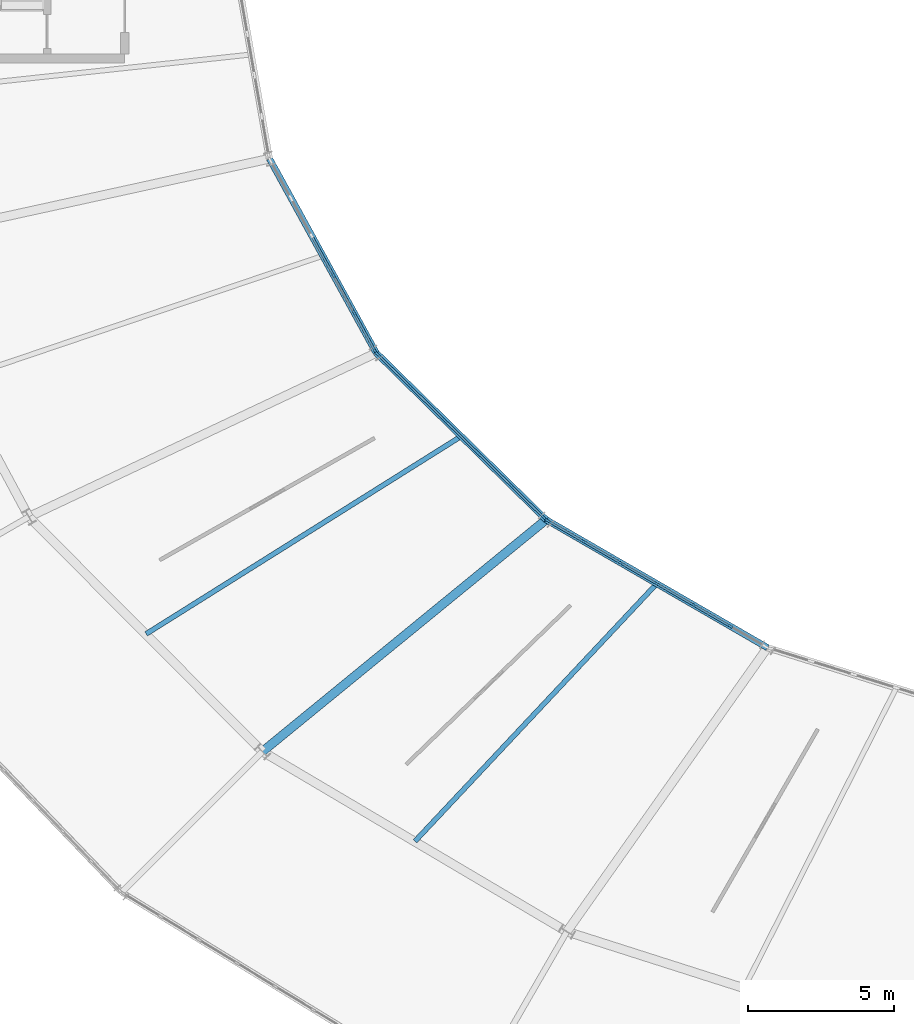
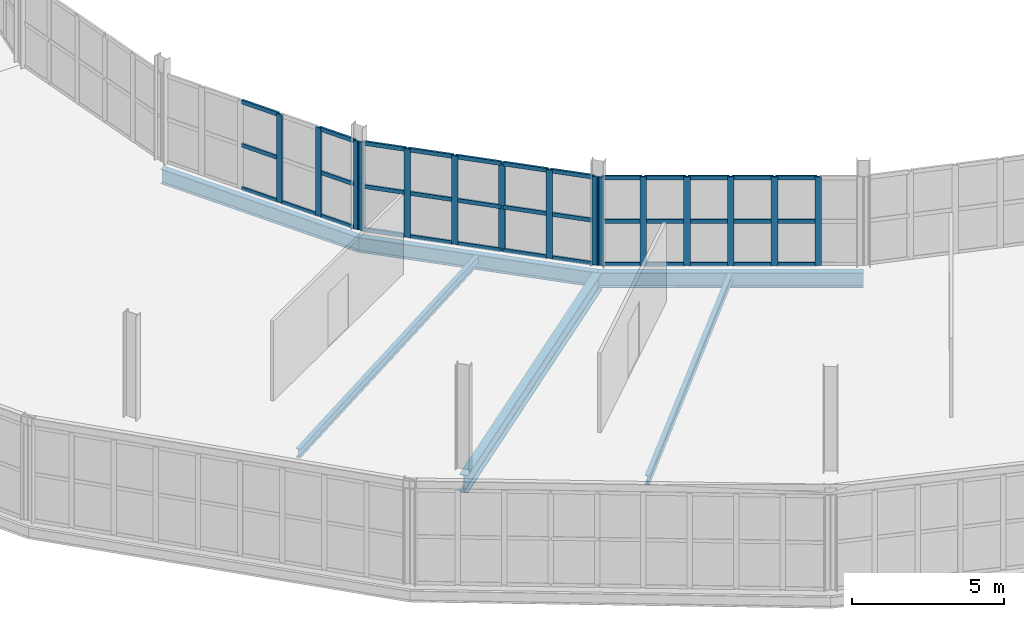
# One storey, part 61 of 161: 52 members, 6 beams, 3 elements without a shape of their own.
"""IFC4 building model written with IfcOpenShell, lengths in metres."""

from ifc_helpers import new_model, si_unit, direction, frame, origin, origin_2d, place, context, subcontext, project, spatial, rectangle, i_section, extrude, material, material_profile, profile_set, type_object, element, aggregate, save


model = new_model("IFC4")

# Units and contexts
model_context = context("Model", 3, precision=1e-05, world=origin(), true_north=direction((0.0, 1.0)))
body_context = subcontext(model_context, "Body", "Model", "MODEL_VIEW")
ifc_project = project(units=[si_unit("LENGTHUNIT", "METRE"), si_unit("AREAUNIT", "SQUARE_METRE"), si_unit("VOLUMEUNIT", "CUBIC_METRE"), si_unit("PLANEANGLEUNIT", "RADIAN"), si_unit("MASSUNIT", "GRAM", prefix="KILO")], contexts=[model_context])

# Site, building, storey
site_placement = place(None, origin())
site = spatial("IfcSite", under=ifc_project, at=site_placement, CompositionType="ELEMENT")
building_placement = place(site_placement, origin())
building = spatial("IfcBuilding", under=site, at=building_placement, Name="Kildeholm Park Wholesale Market", CompositionType="ELEMENT")
storey_placement = place(building_placement, frame((0.0, 0.0, 5.39990234375)))
storey = spatial("IfcBuildingStorey", under=building, at=storey_placement, Name="L01", CompositionType="ELEMENT", Elevation=5.39990234375)

# Beams
ifc_material_1 = material(Name="Steel S355", Category="steel")
ifc_material_profile_1 = material_profile(ifc_material_1, i_section(OverallWidth=0.300048828125, OverallDepth=0.699951171875, WebThickness=0.01708984375, FlangeThickness=0.031982421875, FilletRadius=0.027099609375, at=origin_2d()), Name="HEB 700")
ifc_profile_set_1 = profile_set([ifc_material_profile_1], Name="Steel S355")
beam_type_1 = type_object("IfcBeamType", Name="Beam B-G01 HEB 700", PredefinedType="BEAM", material=ifc_profile_set_1)
beam_1_placement = place(storey_placement, frame((73.19091796875, 70.054931640625, -0.599853515625), z_axis=(-0.774216280002, -0.632921126034, 0.0), x_axis=(0.632921126034, -0.774216280002, 0.0)))
element("IfcBeam", 1, at=beam_1_placement, inside=storey, type_object=beam_type_1, Name="Beam BM-V1-L01-R1-15 BM-0136", PredefinedType="BEAM", context=body_context, shape_type="SweptSolid", body=[
    extrude(i_section(OverallWidth=0.300048828125, OverallDepth=0.699951171875, WebThickness=0.01708984375, FlangeThickness=0.031982421875, FilletRadius=0.027099609375, at=origin_2d()), origin(), (0.0, 0.0, 1.0), 12.51318359375),
])
ifc_material_profile_2 = material_profile(ifc_material_1, i_section(OverallWidth=0.219970703125, OverallDepth=0.60009765625, WebThickness=0.011962890625, FlangeThickness=0.01904296875, FilletRadius=0.02392578125, at=origin_2d()), Name="IPE 600")
ifc_profile_set_2 = profile_set([ifc_material_profile_2], Name="Steel S355")
beam_type_2 = type_object("IfcBeamType", Name="Beam B-P04 IPE 600", PredefinedType="BEAM", material=ifc_profile_set_2)
beam_2_placement = place(storey_placement, frame((63.743896484375, 82.382080078125, -0.5498046875), z_axis=(0.481751565348, -0.876307839338, 0.0), x_axis=(0.876307839338, 0.481751565348, 0.0)))
element("IfcBeam", 2, at=beam_2_placement, inside=storey, type_object=beam_type_2, Name="Beam BM-V1-L01-CI-13 BM-0120", PredefinedType="BEAM", context=body_context, shape_type="SweptSolid", body=[
    extrude(i_section(OverallWidth=0.219970703125, OverallDepth=0.60009765625, WebThickness=0.011962890625, FlangeThickness=0.01904296875, FilletRadius=0.02392578125, at=origin_2d()), origin(), (0.0, 0.0, 1.0), 7.568115234375),
])
beam_3_placement = place(storey_placement, frame((67.389892578125, 75.75, -0.5498046875), z_axis=(0.713593723838, -0.700559774251, 0.0), x_axis=(0.700559774251, 0.713593723838, 0.0)))
element("IfcBeam", 3, at=beam_3_placement, inside=storey, type_object=beam_type_2, Name="Beam BM-V1-L01-CI-14 BM-0129", PredefinedType="BEAM", context=body_context, shape_type="SweptSolid", body=[
    extrude(i_section(OverallWidth=0.219970703125, OverallDepth=0.60009765625, WebThickness=0.011962890625, FlangeThickness=0.01904296875, FilletRadius=0.02392578125, at=origin_2d()), origin(), (0.0, 0.0, 1.0), 8.12939453125),
])
beam_4_placement = place(storey_placement, frame((73.19091796875, 70.054931640625, -0.5498046875), z_axis=(0.865697347457, -0.500567780231, 0.0), x_axis=(0.500567780231, 0.865697347457, 0.0)))
element("IfcBeam", 4, at=beam_4_placement, inside=storey, type_object=beam_type_2, Name="Beam BM-V1-L01-CI-15 BM-0139", PredefinedType="BEAM", context=body_context, shape_type="SweptSolid", body=[
    extrude(i_section(OverallWidth=0.219970703125, OverallDepth=0.60009765625, WebThickness=0.011962890625, FlangeThickness=0.01904296875, FilletRadius=0.02392578125, at=origin_2d()), origin(), (0.0, 0.0, 1.0), 8.731689453125),
])
ifc_material_profile_3 = material_profile(ifc_material_1, i_section(OverallWidth=0.169921875, OverallDepth=0.360107421875, WebThickness=0.008056640625, FlangeThickness=0.0126953125, FilletRadius=0.01806640625, at=origin_2d()), Name="IPE 360")
ifc_profile_set_3 = profile_set([ifc_material_profile_3], Name="Steel S355")
beam_type_3 = type_object("IfcBeamType", Name="Beam J-04 IPE 360", PredefinedType="JOIST", material=ifc_profile_set_3)
beam_5_placement = place(storey_placement, frame((70.273681640625, 72.891845703125, -0.429931640625), z_axis=(-0.847114536958, -0.531410351116, 0.0), x_axis=(0.531410351116, -0.847114536958, 0.0)))
element("IfcBeam", 5, at=beam_5_placement, inside=storey, type_object=beam_type_3, Name="Beam JT-V1-L01-14 BM-0134", PredefinedType="JOIST", context=body_context, shape_type="SweptSolid", body=[
    extrude(i_section(OverallWidth=0.169921875, OverallDepth=0.360107421875, WebThickness=0.008056640625, FlangeThickness=0.0126953125, FilletRadius=0.01806640625, at=origin_2d()), origin(), (0.0, 0.0, 1.0), 12.680908203125),
])
beam_6_placement = place(storey_placement, frame((76.956787109375, 67.85498046875, -0.429931640625), z_axis=(-0.68439148237, -0.729114736416, 0.0), x_axis=(0.729114736416, -0.68439148237, 0.0)))
element("IfcBeam", 6, at=beam_6_placement, inside=storey, type_object=beam_type_3, Name="Beam JT-V1-L01-15 BM-0144", PredefinedType="JOIST", context=body_context, shape_type="SweptSolid", body=[
    extrude(i_section(OverallWidth=0.169921875, OverallDepth=0.360107421875, WebThickness=0.008056640625, FlangeThickness=0.0126953125, FilletRadius=0.01806640625, at=origin_2d()), origin(), (0.0, 0.0, 1.0), 12.04248046875),
])

# Curtain wall, members
ifc_material_2 = material(Name="Anodised aluminium and low-E double-glazed glass", Category="aluminium")
curtain_wall_type = type_object("IfcCurtainWallType", Name="Market hall glazed arcade stick curtain wall CW-01", PredefinedType="NOTDEFINED", material=ifc_material_2)
curtain_wall_1_placement = place(storey_placement, origin())
curtain_wall_1 = element("IfcCurtainWall", 7, at=curtain_wall_1_placement, inside=storey, type_object=curtain_wall_type, Name="Curtain wall CW-V1-IN1-13 CW-0067", PredefinedType="NOTDEFINED")
ifc_material_3 = material(Name="Anodised aluminium", Category="aluminium")
ifc_material_profile_4 = material_profile(ifc_material_3, rectangle(XDim=0.074951171875, YDim=0.219970703125, at=origin_2d()), Name="CWM 75x220")
ifc_profile_set_4 = profile_set([ifc_material_profile_4], Name="Anodised aluminium")
member_type_1 = type_object("IfcMemberType", Name="Curtain-wall mullion CWM-2 CWM 75x220", PredefinedType="MULLION", material=ifc_profile_set_4)
member_1_placement = place(storey_placement, frame((65.921875, 78.408203125, 0.0), z_axis=(0.0, 0.0, 1.0), x_axis=(0.876308922506, 0.481749595055, 0.0)))
member_1 = element("IfcMember", 8, at=member_1_placement, type_object=member_type_1, Name="CW-01 mullion 4 MEM-2207", PredefinedType="MULLION", context=body_context, shape_type="SweptSolid", body=[
    extrude(rectangle(XDim=0.074951171875, YDim=0.219970703125, at=origin_2d()), origin(), (0.0, 0.0, 1.0), 3.550048828125),
])
member_2_placement = place(storey_placement, frame((66.643310546875, 77.095703125, 0.0), z_axis=(0.0, 0.0, 1.0), x_axis=(0.876308922506, 0.481749595055, 0.0)))
member_2 = element("IfcMember", 9, at=member_2_placement, type_object=member_type_1, Name="CW-01 mullion 5 MEM-2208", PredefinedType="MULLION", context=body_context, shape_type="SweptSolid", body=[
    extrude(rectangle(XDim=0.074951171875, YDim=0.219970703125, at=origin_2d()), origin(), (0.0, 0.0, 1.0), 3.550048828125),
])
member_3_placement = place(storey_placement, frame((67.346923828125, 75.81591796875, 0.0), z_axis=(0.0, 0.0, 1.0), x_axis=(0.876308922506, 0.481749595055, 0.0)))
member_3 = element("IfcMember", 10, at=member_3_placement, type_object=member_type_1, Name="CW-01 mullion 6 MEM-2209", PredefinedType="MULLION", context=body_context, shape_type="SweptSolid", body=[
    extrude(rectangle(XDim=0.074951171875, YDim=0.219970703125, at=origin_2d()), origin(), (0.0, 0.0, 1.0), 3.550048828125),
])

curtain_wall_2_placement = place(storey_placement, origin())
curtain_wall_2 = element("IfcCurtainWall", 11, at=curtain_wall_2_placement, inside=storey, type_object=curtain_wall_type, Name="Curtain wall CW-V1-IN1-14 CW-0072", PredefinedType="NOTDEFINED")
member_4_placement = place(storey_placement, frame((67.440673828125, 75.692626953125, 0.0), z_axis=(0.0, 0.0, 1.0), x_axis=(0.700616534607, 0.713537995789, 0.0)))
member_4 = element("IfcMember", 12, at=member_4_placement, type_object=member_type_1, Name="CW-01 mullion 1 MEM-2333", PredefinedType="MULLION", context=body_context, shape_type="SweptSolid", body=[
    extrude(rectangle(XDim=0.074951171875, YDim=0.219970703125, at=origin_2d()), origin(), (0.0, 0.0, 1.0), 3.550048828125),
])
member_5_placement = place(storey_placement, frame((68.5625, 74.59130859375, 0.0), z_axis=(0.0, 0.0, 1.0), x_axis=(0.700616534607, 0.713537995789, 0.0)))
member_5 = element("IfcMember", 13, at=member_5_placement, type_object=member_type_1, Name="CW-01 mullion 2 MEM-2334", PredefinedType="MULLION", context=body_context, shape_type="SweptSolid", body=[
    extrude(rectangle(XDim=0.074951171875, YDim=0.219970703125, at=origin_2d()), origin(), (0.0, 0.0, 1.0), 3.550048828125),
])
member_6_placement = place(storey_placement, frame((69.711181640625, 73.46337890625, 0.0), z_axis=(0.0, 0.0, 1.0), x_axis=(0.700616534607, 0.713537995789, 0.0)))
member_6 = element("IfcMember", 14, at=member_6_placement, type_object=member_type_1, Name="CW-01 mullion 3 MEM-2335", PredefinedType="MULLION", context=body_context, shape_type="SweptSolid", body=[
    extrude(rectangle(XDim=0.074951171875, YDim=0.219970703125, at=origin_2d()), origin(), (0.0, 0.0, 1.0), 3.550048828125),
])
member_7_placement = place(storey_placement, frame((70.85986328125, 72.335693359375, 0.0), z_axis=(0.0, 0.0, 1.0), x_axis=(0.700616534607, 0.713537995789, 0.0)))
member_7 = element("IfcMember", 15, at=member_7_placement, type_object=member_type_1, Name="CW-01 mullion 4 MEM-2336", PredefinedType="MULLION", context=body_context, shape_type="SweptSolid", body=[
    extrude(rectangle(XDim=0.074951171875, YDim=0.219970703125, at=origin_2d()), origin(), (0.0, 0.0, 1.0), 3.550048828125),
])
member_8_placement = place(storey_placement, frame((72.00830078125, 71.207763671875, 0.0), z_axis=(0.0, 0.0, 1.0), x_axis=(0.700616534607, 0.713537995789, 0.0)))
member_8 = element("IfcMember", 16, at=member_8_placement, type_object=member_type_1, Name="CW-01 mullion 5 MEM-2337", PredefinedType="MULLION", context=body_context, shape_type="SweptSolid", body=[
    extrude(rectangle(XDim=0.074951171875, YDim=0.219970703125, at=origin_2d()), origin(), (0.0, 0.0, 1.0), 3.550048828125),
])
member_9_placement = place(storey_placement, frame((73.130126953125, 70.106201171875, 0.0), z_axis=(0.0, 0.0, 1.0), x_axis=(0.700616534607, 0.713537995789, 0.0)))
member_9 = element("IfcMember", 17, at=member_9_placement, type_object=member_type_1, Name="CW-01 mullion 6 MEM-2338", PredefinedType="MULLION", context=body_context, shape_type="SweptSolid", body=[
    extrude(rectangle(XDim=0.074951171875, YDim=0.219970703125, at=origin_2d()), origin(), (0.0, 0.0, 1.0), 3.550048828125),
])

curtain_wall_3_placement = place(storey_placement, origin())
curtain_wall_3 = element("IfcCurtainWall", 18, at=curtain_wall_3_placement, inside=storey, type_object=curtain_wall_type, Name="Curtain wall CW-V1-IN1-15 CW-0077", PredefinedType="NOTDEFINED")
member_10_placement = place(storey_placement, frame((73.25439453125, 70.01220703125, 0.0), z_axis=(0.0, 0.0, 1.0), x_axis=(0.500489412982, 0.865742656621, 0.0)))
member_10 = element("IfcMember", 19, at=member_10_placement, type_object=member_type_1, Name="CW-01 mullion 1 MEM-2470", PredefinedType="MULLION", context=body_context, shape_type="SweptSolid", body=[
    extrude(rectangle(XDim=0.074951171875, YDim=0.219970703125, at=origin_2d()), origin(), (0.0, 0.0, 1.0), 3.550048828125),
])
member_11_placement = place(storey_placement, frame((74.47021484375, 69.309326171875, 0.0), z_axis=(0.0, 0.0, 1.0), x_axis=(0.500489412982, 0.865742656621, 0.0)))
member_11 = element("IfcMember", 20, at=member_11_placement, type_object=member_type_1, Name="CW-01 mullion 2 MEM-2471", PredefinedType="MULLION", context=body_context, shape_type="SweptSolid", body=[
    extrude(rectangle(XDim=0.074951171875, YDim=0.219970703125, at=origin_2d()), origin(), (0.0, 0.0, 1.0), 3.550048828125),
])
member_12_placement = place(storey_placement, frame((75.71875, 68.587646484375, 0.0), z_axis=(0.0, 0.0, 1.0), x_axis=(0.500489412982, 0.865742656621, 0.0)))
member_12 = element("IfcMember", 21, at=member_12_placement, type_object=member_type_1, Name="CW-01 mullion 3 MEM-2472", PredefinedType="MULLION", context=body_context, shape_type="SweptSolid", body=[
    extrude(rectangle(XDim=0.074951171875, YDim=0.219970703125, at=origin_2d()), origin(), (0.0, 0.0, 1.0), 3.550048828125),
])
member_13_placement = place(storey_placement, frame((76.967041015625, 67.865966796875, 0.0), z_axis=(0.0, 0.0, 1.0), x_axis=(0.500489412982, 0.865742656621, 0.0)))
member_13 = element("IfcMember", 22, at=member_13_placement, type_object=member_type_1, Name="CW-01 mullion 4 MEM-2473", PredefinedType="MULLION", context=body_context, shape_type="SweptSolid", body=[
    extrude(rectangle(XDim=0.074951171875, YDim=0.219970703125, at=origin_2d()), origin(), (0.0, 0.0, 1.0), 3.550048828125),
])
member_14_placement = place(storey_placement, frame((78.21533203125, 67.144287109375, 0.0), z_axis=(0.0, 0.0, 1.0), x_axis=(0.500489412982, 0.865742656621, 0.0)))
member_14 = element("IfcMember", 23, at=member_14_placement, type_object=member_type_1, Name="CW-01 mullion 5 MEM-2474", PredefinedType="MULLION", context=body_context, shape_type="SweptSolid", body=[
    extrude(rectangle(XDim=0.074951171875, YDim=0.219970703125, at=origin_2d()), origin(), (0.0, 0.0, 1.0), 3.550048828125),
])
member_15_placement = place(storey_placement, frame((79.463623046875, 66.422607421875, 0.0), z_axis=(0.0, 0.0, 1.0), x_axis=(0.500489412982, 0.865742656621, 0.0)))
member_15 = element("IfcMember", 24, at=member_15_placement, type_object=member_type_1, Name="CW-01 mullion 6 MEM-2475", PredefinedType="MULLION", context=body_context, shape_type="SweptSolid", body=[
    extrude(rectangle(XDim=0.074951171875, YDim=0.219970703125, at=origin_2d()), origin(), (0.0, 0.0, 1.0), 3.550048828125),
])

# Member
ifc_material_profile_5 = material_profile(ifc_material_3, rectangle(XDim=0.074951171875, YDim=0.159912109375, at=origin_2d()), Name="CWT 75x160")
ifc_profile_set_5 = profile_set([ifc_material_profile_5], Name="Anodised aluminium")
member_type_2 = type_object("IfcMemberType", Name="Curtain-wall transom CWT-2 CWT 75x160", PredefinedType="USERDEFINED", material=ifc_profile_set_5)
member_16_placement = place(storey_placement, frame((65.21826171875, 79.68798828125, 0.03759765625), z_axis=(0.481806771889, -0.876277487193, 0.0), x_axis=(0.876277487193, 0.481806771889, 0.0)))
member_16 = element("IfcMember", 25, at=member_16_placement, type_object=member_type_2, Name="CW-01 transom 3.1 MEM-2216", ObjectType="TRANSOM", PredefinedType="USERDEFINED", context=body_context, shape_type="SweptSolid", body=[
    extrude(rectangle(XDim=0.074951171875, YDim=0.159912109375, at=origin_2d()), origin(), (0.0, 0.0, 1.0), 1.4228515625),
])

member_17_placement = place(storey_placement, frame((65.21826171875, 79.68798828125, 1.775146484375), z_axis=(0.481806771889, -0.876277487193, 0.0), x_axis=(0.876277487193, 0.481806771889, 0.0)))
member_17 = element("IfcMember", 26, at=member_17_placement, type_object=member_type_2, Name="CW-01 transom 3.2 MEM-2217", ObjectType="TRANSOM", PredefinedType="USERDEFINED", context=body_context, shape_type="SweptSolid", body=[
    extrude(rectangle(XDim=0.074951171875, YDim=0.159912109375, at=origin_2d()), origin(), (0.0, 0.0, 1.0), 1.4228515625),
])

member_18_placement = place(storey_placement, frame((65.21826171875, 79.68798828125, 3.5126953125), z_axis=(0.481806771889, -0.876277487193, 0.0), x_axis=(0.876277487193, 0.481806771889, 0.0)))
member_18 = element("IfcMember", 27, at=member_18_placement, type_object=member_type_2, Name="CW-01 transom 3.3 MEM-2218", ObjectType="TRANSOM", PredefinedType="USERDEFINED", context=body_context, shape_type="SweptSolid", body=[
    extrude(rectangle(XDim=0.074951171875, YDim=0.159912109375, at=origin_2d()), origin(), (0.0, 0.0, 1.0), 1.4228515625),
])

member_19_placement = place(storey_placement, frame((65.93994140625, 78.375244140625, 0.03759765625), z_axis=(0.481675002978, -0.876349925262, 0.0), x_axis=(0.876349925262, 0.481675002978, 0.0)))
member_19 = element("IfcMember", 28, at=member_19_placement, type_object=member_type_2, Name="CW-01 transom 4.1 MEM-2219", ObjectType="TRANSOM", PredefinedType="USERDEFINED", context=body_context, shape_type="SweptSolid", body=[
    extrude(rectangle(XDim=0.074951171875, YDim=0.159912109375, at=origin_2d()), origin(), (0.0, 0.0, 1.0), 1.4228515625),
])

member_20_placement = place(storey_placement, frame((66.661376953125, 77.062744140625, 0.03759765625), z_axis=(0.481763161667, -0.876301464144, 0.0), x_axis=(0.876301464144, 0.481763161667, 0.0)))
member_20 = element("IfcMember", 29, at=member_20_placement, type_object=member_type_2, Name="CW-01 transom 5.1 MEM-2222", ObjectType="TRANSOM", PredefinedType="USERDEFINED", context=body_context, shape_type="SweptSolid", body=[
    extrude(rectangle(XDim=0.074951171875, YDim=0.159912109375, at=origin_2d()), origin(), (0.0, 0.0, 1.0), 1.385498046875),
])

member_21_placement = place(storey_placement, frame((66.661376953125, 77.062744140625, 1.775146484375), z_axis=(0.481763161667, -0.876301464144, 0.0), x_axis=(0.876301464144, 0.481763161667, 0.0)))
member_21 = element("IfcMember", 30, at=member_21_placement, type_object=member_type_2, Name="CW-01 transom 5.2 MEM-2223", ObjectType="TRANSOM", PredefinedType="USERDEFINED", context=body_context, shape_type="SweptSolid", body=[
    extrude(rectangle(XDim=0.074951171875, YDim=0.159912109375, at=origin_2d()), origin(), (0.0, 0.0, 1.0), 1.385498046875),
])

member_22_placement = place(storey_placement, frame((66.661376953125, 77.062744140625, 3.5126953125), z_axis=(0.481763161667, -0.876301464144, 0.0), x_axis=(0.876301464144, 0.481763161667, 0.0)))
member_22 = element("IfcMember", 31, at=member_22_placement, type_object=member_type_2, Name="CW-01 transom 5.3 MEM-2224", ObjectType="TRANSOM", PredefinedType="USERDEFINED", context=body_context, shape_type="SweptSolid", body=[
    extrude(rectangle(XDim=0.074951171875, YDim=0.159912109375, at=origin_2d()), origin(), (0.0, 0.0, 1.0), 1.385498046875),
])

aggregate(curtain_wall_1, [member_1, member_2, member_3, member_16, member_17, member_18, member_19, member_20, member_21, member_22])

member_23_placement = place(storey_placement, frame((67.467529296875, 75.66650390625, 0.03759765625), z_axis=(0.713518025391, -0.700636872739, 0.0), x_axis=(0.700636872739, 0.713518025391, 0.0)))
member_23 = element("IfcMember", 32, at=member_23_placement, type_object=member_type_2, Name="CW-01 transom 1.1 MEM-2339", ObjectType="TRANSOM", PredefinedType="USERDEFINED", context=body_context, shape_type="SweptSolid", body=[
    extrude(rectangle(XDim=0.074951171875, YDim=0.159912109375, at=origin_2d()), origin(), (0.0, 0.0, 1.0), 1.497314453125),
])

member_24_placement = place(storey_placement, frame((67.467529296875, 75.66650390625, 1.775146484375), z_axis=(0.713518025391, -0.700636872739, 0.0), x_axis=(0.700636872739, 0.713518025391, 0.0)))
member_24 = element("IfcMember", 33, at=member_24_placement, type_object=member_type_2, Name="CW-01 transom 1.2 MEM-2340", ObjectType="TRANSOM", PredefinedType="USERDEFINED", context=body_context, shape_type="SweptSolid", body=[
    extrude(rectangle(XDim=0.074951171875, YDim=0.159912109375, at=origin_2d()), origin(), (0.0, 0.0, 1.0), 1.497314453125),
])

member_25_placement = place(storey_placement, frame((67.467529296875, 75.66650390625, 3.5126953125), z_axis=(0.713518025391, -0.700636872739, 0.0), x_axis=(0.700636872739, 0.713518025391, 0.0)))
member_25 = element("IfcMember", 34, at=member_25_placement, type_object=member_type_2, Name="CW-01 transom 1.3 MEM-2341", ObjectType="TRANSOM", PredefinedType="USERDEFINED", context=body_context, shape_type="SweptSolid", body=[
    extrude(rectangle(XDim=0.074951171875, YDim=0.159912109375, at=origin_2d()), origin(), (0.0, 0.0, 1.0), 1.497314453125),
])

member_26_placement = place(storey_placement, frame((68.58935546875, 74.56494140625, 0.03759765625), z_axis=(0.713520588004, -0.700634263003, 0.0), x_axis=(0.700634263003, 0.713520588004, 0.0)))
member_26 = element("IfcMember", 35, at=member_26_placement, type_object=member_type_2, Name="CW-01 transom 2.1 MEM-2342", ObjectType="TRANSOM", PredefinedType="USERDEFINED", context=body_context, shape_type="SweptSolid", body=[
    extrude(rectangle(XDim=0.074951171875, YDim=0.159912109375, at=origin_2d()), origin(), (0.0, 0.0, 1.0), 1.53466796875),
])

member_27_placement = place(storey_placement, frame((68.58935546875, 74.56494140625, 1.775146484375), z_axis=(0.713520588004, -0.700634263003, 0.0), x_axis=(0.700634263003, 0.713520588004, 0.0)))
member_27 = element("IfcMember", 36, at=member_27_placement, type_object=member_type_2, Name="CW-01 transom 2.2 MEM-2343", ObjectType="TRANSOM", PredefinedType="USERDEFINED", context=body_context, shape_type="SweptSolid", body=[
    extrude(rectangle(XDim=0.074951171875, YDim=0.159912109375, at=origin_2d()), origin(), (0.0, 0.0, 1.0), 1.53466796875),
])

member_28_placement = place(storey_placement, frame((68.58935546875, 74.56494140625, 3.5126953125), z_axis=(0.713520588004, -0.700634263003, 0.0), x_axis=(0.700634263003, 0.713520588004, 0.0)))
member_28 = element("IfcMember", 37, at=member_28_placement, type_object=member_type_2, Name="CW-01 transom 2.3 MEM-2344", ObjectType="TRANSOM", PredefinedType="USERDEFINED", context=body_context, shape_type="SweptSolid", body=[
    extrude(rectangle(XDim=0.074951171875, YDim=0.159912109375, at=origin_2d()), origin(), (0.0, 0.0, 1.0), 1.53466796875),
])

member_29_placement = place(storey_placement, frame((69.738037109375, 73.43701171875, 0.03759765625), z_axis=(0.713520588004, -0.700634263003, 0.0), x_axis=(0.700634263003, 0.713520588004, 0.0)))
member_29 = element("IfcMember", 38, at=member_29_placement, type_object=member_type_2, Name="CW-01 transom 3.1 MEM-2345", ObjectType="TRANSOM", PredefinedType="USERDEFINED", context=body_context, shape_type="SweptSolid", body=[
    extrude(rectangle(XDim=0.074951171875, YDim=0.159912109375, at=origin_2d()), origin(), (0.0, 0.0, 1.0), 1.53466796875),
])

member_30_placement = place(storey_placement, frame((69.738037109375, 73.43701171875, 1.775146484375), z_axis=(0.713520588004, -0.700634263003, 0.0), x_axis=(0.700634263003, 0.713520588004, 0.0)))
member_30 = element("IfcMember", 39, at=member_30_placement, type_object=member_type_2, Name="CW-01 transom 3.2 MEM-2346", ObjectType="TRANSOM", PredefinedType="USERDEFINED", context=body_context, shape_type="SweptSolid", body=[
    extrude(rectangle(XDim=0.074951171875, YDim=0.159912109375, at=origin_2d()), origin(), (0.0, 0.0, 1.0), 1.53466796875),
])

member_31_placement = place(storey_placement, frame((69.738037109375, 73.43701171875, 3.5126953125), z_axis=(0.713520588004, -0.700634263003, 0.0), x_axis=(0.700634263003, 0.713520588004, 0.0)))
member_31 = element("IfcMember", 40, at=member_31_placement, type_object=member_type_2, Name="CW-01 transom 3.3 MEM-2347", ObjectType="TRANSOM", PredefinedType="USERDEFINED", context=body_context, shape_type="SweptSolid", body=[
    extrude(rectangle(XDim=0.074951171875, YDim=0.159912109375, at=origin_2d()), origin(), (0.0, 0.0, 1.0), 1.53466796875),
])

member_32_placement = place(storey_placement, frame((70.886474609375, 72.309326171875, 0.03759765625), z_axis=(0.713598670351, -0.700554735672, 0.0), x_axis=(0.700554735672, 0.713598670351, 0.0)))
member_32 = element("IfcMember", 41, at=member_32_placement, type_object=member_type_2, Name="CW-01 transom 4.1 MEM-2348", ObjectType="TRANSOM", PredefinedType="USERDEFINED", context=body_context, shape_type="SweptSolid", body=[
    extrude(rectangle(XDim=0.074951171875, YDim=0.159912109375, at=origin_2d()), origin(), (0.0, 0.0, 1.0), 1.53466796875),
])

member_33_placement = place(storey_placement, frame((70.886474609375, 72.309326171875, 1.775146484375), z_axis=(0.713598670351, -0.700554735672, 0.0), x_axis=(0.700554735672, 0.713598670351, 0.0)))
member_33 = element("IfcMember", 42, at=member_33_placement, type_object=member_type_2, Name="CW-01 transom 4.2 MEM-2349", ObjectType="TRANSOM", PredefinedType="USERDEFINED", context=body_context, shape_type="SweptSolid", body=[
    extrude(rectangle(XDim=0.074951171875, YDim=0.159912109375, at=origin_2d()), origin(), (0.0, 0.0, 1.0), 1.53466796875),
])

member_34_placement = place(storey_placement, frame((70.886474609375, 72.309326171875, 3.5126953125), z_axis=(0.713598670351, -0.700554735672, 0.0), x_axis=(0.700554735672, 0.713598670351, 0.0)))
member_34 = element("IfcMember", 43, at=member_34_placement, type_object=member_type_2, Name="CW-01 transom 4.3 MEM-2350", ObjectType="TRANSOM", PredefinedType="USERDEFINED", context=body_context, shape_type="SweptSolid", body=[
    extrude(rectangle(XDim=0.074951171875, YDim=0.159912109375, at=origin_2d()), origin(), (0.0, 0.0, 1.0), 1.53466796875),
])

member_35_placement = place(storey_placement, frame((72.03515625, 71.181640625, 0.03759765625), z_axis=(0.713518025391, -0.700636872739, 0.0), x_axis=(0.700636872739, 0.713518025391, 0.0)))
member_35 = element("IfcMember", 44, at=member_35_placement, type_object=member_type_2, Name="CW-01 transom 5.1 MEM-2351", ObjectType="TRANSOM", PredefinedType="USERDEFINED", context=body_context, shape_type="SweptSolid", body=[
    extrude(rectangle(XDim=0.074951171875, YDim=0.159912109375, at=origin_2d()), origin(), (0.0, 0.0, 1.0), 1.497314453125),
])

member_36_placement = place(storey_placement, frame((72.03515625, 71.181640625, 1.775146484375), z_axis=(0.713518025391, -0.700636872739, 0.0), x_axis=(0.700636872739, 0.713518025391, 0.0)))
member_36 = element("IfcMember", 45, at=member_36_placement, type_object=member_type_2, Name="CW-01 transom 5.2 MEM-2352", ObjectType="TRANSOM", PredefinedType="USERDEFINED", context=body_context, shape_type="SweptSolid", body=[
    extrude(rectangle(XDim=0.074951171875, YDim=0.159912109375, at=origin_2d()), origin(), (0.0, 0.0, 1.0), 1.497314453125),
])

member_37_placement = place(storey_placement, frame((72.03515625, 71.181640625, 3.5126953125), z_axis=(0.713518025391, -0.700636872739, 0.0), x_axis=(0.700636872739, 0.713518025391, 0.0)))
member_37 = element("IfcMember", 46, at=member_37_placement, type_object=member_type_2, Name="CW-01 transom 5.3 MEM-2353", ObjectType="TRANSOM", PredefinedType="USERDEFINED", context=body_context, shape_type="SweptSolid", body=[
    extrude(rectangle(XDim=0.074951171875, YDim=0.159912109375, at=origin_2d()), origin(), (0.0, 0.0, 1.0), 1.497314453125),
])

aggregate(curtain_wall_2, [member_4, member_5, member_6, member_7, member_8, member_9, member_23, member_24, member_25, member_26, member_27, member_28, member_29, member_30, member_31, member_32, member_33, member_34, member_35, member_36, member_37])

member_38_placement = place(storey_placement, frame((73.286865234375, 69.993408203125, 0.03759765625), z_axis=(0.865803200302, -0.500384670376, 0.0), x_axis=(0.500384670376, 0.865803200302, 0.0)))
member_38 = element("IfcMember", 47, at=member_38_placement, type_object=member_type_2, Name="CW-01 transom 1.1 MEM-2477", ObjectType="TRANSOM", PredefinedType="USERDEFINED", context=body_context, shape_type="SweptSolid", body=[
    extrude(rectangle(XDim=0.074951171875, YDim=0.159912109375, at=origin_2d()), origin(), (0.0, 0.0, 1.0), 1.32958984375),
])

member_39_placement = place(storey_placement, frame((73.286865234375, 69.993408203125, 1.775146484375), z_axis=(0.865803200302, -0.500384670376, 0.0), x_axis=(0.500384670376, 0.865803200302, 0.0)))
member_39 = element("IfcMember", 48, at=member_39_placement, type_object=member_type_2, Name="CW-01 transom 1.2 MEM-2478", ObjectType="TRANSOM", PredefinedType="USERDEFINED", context=body_context, shape_type="SweptSolid", body=[
    extrude(rectangle(XDim=0.074951171875, YDim=0.159912109375, at=origin_2d()), origin(), (0.0, 0.0, 1.0), 1.32958984375),
])

member_40_placement = place(storey_placement, frame((73.286865234375, 69.993408203125, 3.5126953125), z_axis=(0.865803200302, -0.500384670376, 0.0), x_axis=(0.500384670376, 0.865803200302, 0.0)))
member_40 = element("IfcMember", 49, at=member_40_placement, type_object=member_type_2, Name="CW-01 transom 1.3 MEM-2479", ObjectType="TRANSOM", PredefinedType="USERDEFINED", context=body_context, shape_type="SweptSolid", body=[
    extrude(rectangle(XDim=0.074951171875, YDim=0.159912109375, at=origin_2d()), origin(), (0.0, 0.0, 1.0), 1.32958984375),
])

member_41_placement = place(storey_placement, frame((74.502685546875, 69.29052734375, 0.03759765625), z_axis=(0.865792862191, -0.500402557727, 0.0), x_axis=(0.500402557727, 0.865792862191, 0.0)))
member_41 = element("IfcMember", 50, at=member_41_placement, type_object=member_type_2, Name="CW-01 transom 2.1 MEM-2480", ObjectType="TRANSOM", PredefinedType="USERDEFINED", context=body_context, shape_type="SweptSolid", body=[
    extrude(rectangle(XDim=0.074951171875, YDim=0.159912109375, at=origin_2d()), origin(), (0.0, 0.0, 1.0), 1.366943359375),
])

member_42_placement = place(storey_placement, frame((74.502685546875, 69.29052734375, 1.775146484375), z_axis=(0.865792862191, -0.500402557727, 0.0), x_axis=(0.500402557727, 0.865792862191, 0.0)))
member_42 = element("IfcMember", 51, at=member_42_placement, type_object=member_type_2, Name="CW-01 transom 2.2 MEM-2481", ObjectType="TRANSOM", PredefinedType="USERDEFINED", context=body_context, shape_type="SweptSolid", body=[
    extrude(rectangle(XDim=0.074951171875, YDim=0.159912109375, at=origin_2d()), origin(), (0.0, 0.0, 1.0), 1.366943359375),
])

member_43_placement = place(storey_placement, frame((74.502685546875, 69.29052734375, 3.5126953125), z_axis=(0.865792862191, -0.500402557727, 0.0), x_axis=(0.500402557727, 0.865792862191, 0.0)))
member_43 = element("IfcMember", 52, at=member_43_placement, type_object=member_type_2, Name="CW-01 transom 2.3 MEM-2482", ObjectType="TRANSOM", PredefinedType="USERDEFINED", context=body_context, shape_type="SweptSolid", body=[
    extrude(rectangle(XDim=0.074951171875, YDim=0.159912109375, at=origin_2d()), origin(), (0.0, 0.0, 1.0), 1.366943359375),
])

member_44_placement = place(storey_placement, frame((75.751220703125, 68.56884765625, 0.03759765625), z_axis=(0.865748132987, -0.500479939887, 0.0), x_axis=(0.500479939887, 0.865748132987, 0.0)))
member_44 = element("IfcMember", 53, at=member_44_placement, type_object=member_type_2, Name="CW-01 transom 3.1 MEM-2483", ObjectType="TRANSOM", PredefinedType="USERDEFINED", context=body_context, shape_type="SweptSolid", body=[
    extrude(rectangle(XDim=0.074951171875, YDim=0.159912109375, at=origin_2d()), origin(), (0.0, 0.0, 1.0), 1.366943359375),
])

member_45_placement = place(storey_placement, frame((75.751220703125, 68.56884765625, 1.775146484375), z_axis=(0.865748132987, -0.500479939887, 0.0), x_axis=(0.500479939887, 0.865748132987, 0.0)))
member_45 = element("IfcMember", 54, at=member_45_placement, type_object=member_type_2, Name="CW-01 transom 3.2 MEM-2484", ObjectType="TRANSOM", PredefinedType="USERDEFINED", context=body_context, shape_type="SweptSolid", body=[
    extrude(rectangle(XDim=0.074951171875, YDim=0.159912109375, at=origin_2d()), origin(), (0.0, 0.0, 1.0), 1.366943359375),
])

member_46_placement = place(storey_placement, frame((75.751220703125, 68.56884765625, 3.5126953125), z_axis=(0.865748132987, -0.500479939887, 0.0), x_axis=(0.500479939887, 0.865748132987, 0.0)))
member_46 = element("IfcMember", 55, at=member_46_placement, type_object=member_type_2, Name="CW-01 transom 3.3 MEM-2485", ObjectType="TRANSOM", PredefinedType="USERDEFINED", context=body_context, shape_type="SweptSolid", body=[
    extrude(rectangle(XDim=0.074951171875, YDim=0.159912109375, at=origin_2d()), origin(), (0.0, 0.0, 1.0), 1.366943359375),
])

member_47_placement = place(storey_placement, frame((76.99951171875, 67.84716796875, 0.03759765625), z_axis=(0.865748132987, -0.500479939887, 0.0), x_axis=(0.500479939887, 0.865748132987, 0.0)))
member_47 = element("IfcMember", 56, at=member_47_placement, type_object=member_type_2, Name="CW-01 transom 4.1 MEM-2486", ObjectType="TRANSOM", PredefinedType="USERDEFINED", context=body_context, shape_type="SweptSolid", body=[
    extrude(rectangle(XDim=0.074951171875, YDim=0.159912109375, at=origin_2d()), origin(), (0.0, 0.0, 1.0), 1.366943359375),
])

member_48_placement = place(storey_placement, frame((76.99951171875, 67.84716796875, 1.775146484375), z_axis=(0.865748132987, -0.500479939887, 0.0), x_axis=(0.500479939887, 0.865748132987, 0.0)))
member_48 = element("IfcMember", 57, at=member_48_placement, type_object=member_type_2, Name="CW-01 transom 4.2 MEM-2487", ObjectType="TRANSOM", PredefinedType="USERDEFINED", context=body_context, shape_type="SweptSolid", body=[
    extrude(rectangle(XDim=0.074951171875, YDim=0.159912109375, at=origin_2d()), origin(), (0.0, 0.0, 1.0), 1.366943359375),
])

member_49_placement = place(storey_placement, frame((76.99951171875, 67.84716796875, 3.5126953125), z_axis=(0.865748132987, -0.500479939887, 0.0), x_axis=(0.500479939887, 0.865748132987, 0.0)))
member_49 = element("IfcMember", 58, at=member_49_placement, type_object=member_type_2, Name="CW-01 transom 4.3 MEM-2488", ObjectType="TRANSOM", PredefinedType="USERDEFINED", context=body_context, shape_type="SweptSolid", body=[
    extrude(rectangle(XDim=0.074951171875, YDim=0.159912109375, at=origin_2d()), origin(), (0.0, 0.0, 1.0), 1.366943359375),
])

member_50_placement = place(storey_placement, frame((78.247802734375, 67.12548828125, 0.03759765625), z_axis=(0.865748132987, -0.500479939887, 0.0), x_axis=(0.500479939887, 0.865748132987, 0.0)))
member_50 = element("IfcMember", 59, at=member_50_placement, type_object=member_type_2, Name="CW-01 transom 5.1 MEM-2489", ObjectType="TRANSOM", PredefinedType="USERDEFINED", context=body_context, shape_type="SweptSolid", body=[
    extrude(rectangle(XDim=0.074951171875, YDim=0.159912109375, at=origin_2d()), origin(), (0.0, 0.0, 1.0), 1.366943359375),
])

member_51_placement = place(storey_placement, frame((78.247802734375, 67.12548828125, 1.775146484375), z_axis=(0.865748132987, -0.500479939887, 0.0), x_axis=(0.500479939887, 0.865748132987, 0.0)))
member_51 = element("IfcMember", 60, at=member_51_placement, type_object=member_type_2, Name="CW-01 transom 5.2 MEM-2490", ObjectType="TRANSOM", PredefinedType="USERDEFINED", context=body_context, shape_type="SweptSolid", body=[
    extrude(rectangle(XDim=0.074951171875, YDim=0.159912109375, at=origin_2d()), origin(), (0.0, 0.0, 1.0), 1.366943359375),
])

member_52_placement = place(storey_placement, frame((78.247802734375, 67.12548828125, 3.5126953125), z_axis=(0.865748132987, -0.500479939887, 0.0), x_axis=(0.500479939887, 0.865748132987, 0.0)))
member_52 = element("IfcMember", 61, at=member_52_placement, type_object=member_type_2, Name="CW-01 transom 5.3 MEM-2491", ObjectType="TRANSOM", PredefinedType="USERDEFINED", context=body_context, shape_type="SweptSolid", body=[
    extrude(rectangle(XDim=0.074951171875, YDim=0.159912109375, at=origin_2d()), origin(), (0.0, 0.0, 1.0), 1.366943359375),
])

aggregate(curtain_wall_3, [member_10, member_11, member_12, member_13, member_14, member_15, member_38, member_39, member_40, member_41, member_42, member_43, member_44, member_45, member_46, member_47, member_48, member_49, member_50, member_51, member_52])

save(model, "model.ifc")
